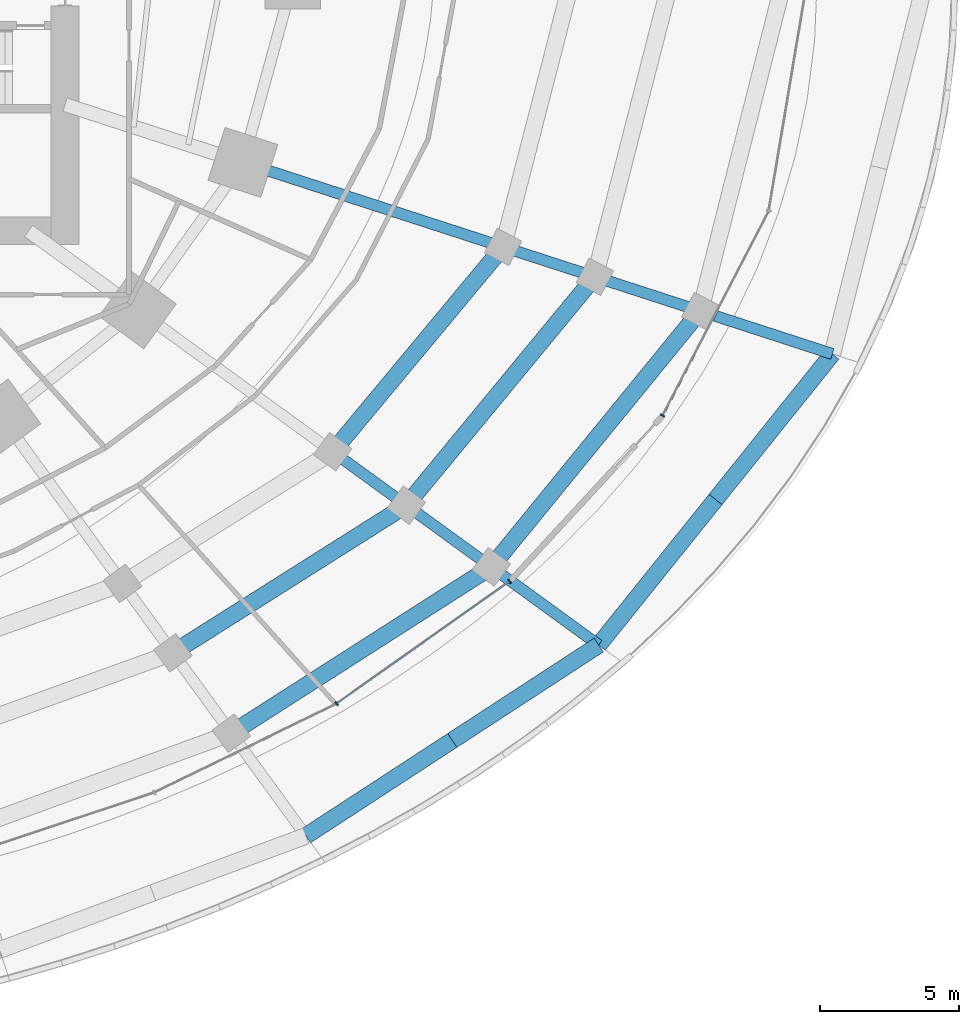
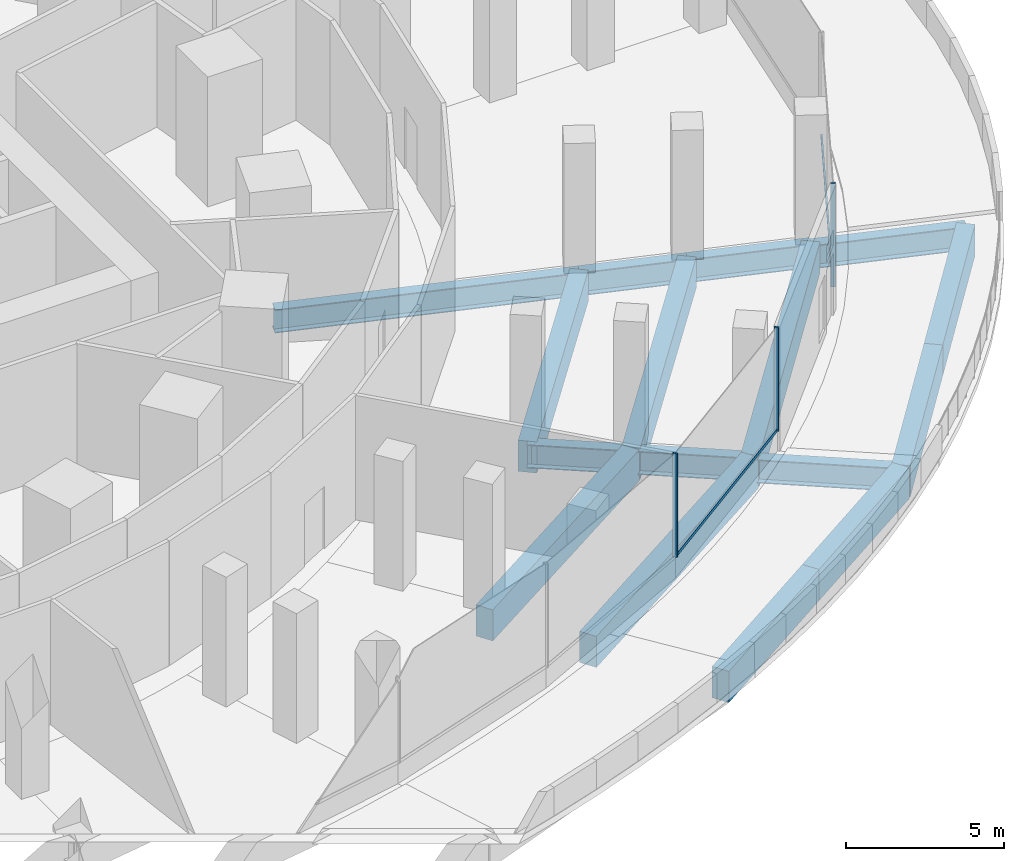
# One storey, part 12 of 31: 16 beams, 5 members, 2 elements without a shape of their own.
"""IFC4 building model written with IfcOpenShell, lengths in metres."""

from ifc_helpers import new_model, si_unit, direction, frame, origin, origin_2d, place, context, subcontext, project, spatial, rectangle, i_section, extrude, material, material_profile, profile_set, type_object, element, aggregate, save


model = new_model("IFC4")

# Units and contexts
model_context = context("Model", 3, precision=1e-05, world=origin(), true_north=direction((0.0, 1.0)))
body_context = subcontext(model_context, "Body", "Model", "MODEL_VIEW")
ifc_project = project(units=[si_unit("LENGTHUNIT", "METRE"), si_unit("AREAUNIT", "SQUARE_METRE"), si_unit("VOLUMEUNIT", "CUBIC_METRE"), si_unit("PLANEANGLEUNIT", "RADIAN"), si_unit("MASSUNIT", "GRAM", prefix="KILO")], contexts=[model_context])

# Site, building, storey
site_placement = place(None, origin())
site = spatial("IfcSite", under=ifc_project, at=site_placement, CompositionType="ELEMENT")
building_placement = place(site_placement, origin())
building = spatial("IfcBuilding", under=site, at=building_placement, Name="Marramba Exchange Tower", CompositionType="ELEMENT")
storey_placement = place(building_placement, frame((0.0, 0.0, 5.60009765625)))
storey = spatial("IfcBuildingStorey", under=building, at=storey_placement, Name="L01", CompositionType="ELEMENT", Elevation=5.60009765625)

# Beams
ifc_material_1 = material(Name="Concrete N50", Category="concrete")
ifc_material_profile_1 = material_profile(ifc_material_1, rectangle(XDim=0.60009765625, YDim=1.199951171875, at=origin_2d()), Name="RC 600x1200")
ifc_profile_set_1 = profile_set([ifc_material_profile_1], Name="Concrete N50")
beam_type_1 = type_object("IfcBeamType", Name="Edge beam RC 600x1200 N50", PredefinedType="SPANDREL", material=ifc_profile_set_1)
beam_1_placement = place(storey_placement, frame((22.379638671875, -30.802978515625, -0.85009765625), z_axis=(0.8377200998, 0.546099839216, 0.0), x_axis=(-0.546099839216, 0.8377200998, 0.0)))
element("IfcBeam", 1, at=beam_1_placement, inside=storey, type_object=beam_type_1, Name="Edge beam L01 P0C18 half 1", PredefinedType="SPANDREL", context=body_context, shape_type="SweptSolid", body=[
    extrude(rectangle(XDim=0.60009765625, YDim=1.199951171875, at=origin_2d()), origin(), (0.0, 0.0, 1.0), 6.29736328125),
])
beam_2_placement = place(storey_placement, frame((27.655029296875, -27.364013671875, -0.85009765625), z_axis=(0.837726274184, 0.54609036756, 0.0), x_axis=(-0.54609036756, 0.837726274184, 0.0)))
element("IfcBeam", 2, at=beam_2_placement, inside=storey, type_object=beam_type_1, Name="Edge beam L01 P0C18 half 2", PredefinedType="SPANDREL", context=body_context, shape_type="SweptSolid", body=[
    extrude(rectangle(XDim=0.60009765625, YDim=1.199951171875, at=origin_2d()), origin(), (0.0, 0.0, 1.0), 6.296875),
])
beam_3_placement = place(storey_placement, frame((32.93017578125, -23.92529296875, -0.85009765625), z_axis=(0.626013316532, 0.779812366871, 0.0), x_axis=(-0.779812366871, 0.626013316532, 0.0)))
element("IfcBeam", 3, at=beam_3_placement, inside=storey, type_object=beam_type_1, Name="Edge beam L01 P0C19 half 1", PredefinedType="SPANDREL", context=body_context, shape_type="SweptSolid", body=[
    extrude(rectangle(XDim=0.60009765625, YDim=1.199951171875, at=origin_2d()), origin(), (0.0, 0.0, 1.0), 6.725830078125),
])
beam_4_placement = place(storey_placement, frame((37.140625, -18.680419921875, -0.85009765625), z_axis=(0.626008962796, 0.779815861918, 0.0), x_axis=(-0.779815861918, 0.626008962796, 0.0)))
element("IfcBeam", 4, at=beam_4_placement, inside=storey, type_object=beam_type_1, Name="Edge beam L01 P0C19 half 2", PredefinedType="SPANDREL", context=body_context, shape_type="SweptSolid", body=[
    extrude(rectangle(XDim=0.60009765625, YDim=1.199951171875, at=origin_2d()), origin(), (0.0, 0.0, 1.0), 6.7255859375),
])
beam_5_placement = place(storey_placement, frame((19.691650390625, -27.103271484375, -0.800048828125), z_axis=(0.84235792629, 0.538918476225, 0.0), x_axis=(-0.538918476225, 0.84235792629, 0.0)))
element("IfcBeam", 5, at=beam_5_placement, inside=storey, type_object=beam_type_1, Name="Edge beam L01 P1C18", PredefinedType="SPANDREL", context=body_context, shape_type="SweptSolid", body=[
    extrude(rectangle(XDim=0.60009765625, YDim=1.199951171875, at=origin_2d()), origin(), (0.0, 0.0, 1.0), 11.118408203125),
])
beam_6_placement = place(storey_placement, frame((29.057373046875, -21.111328125, -0.800048828125), z_axis=(0.632507305582, 0.774554393432, 0.0), x_axis=(-0.774554393432, 0.632507305582, 0.0)))
element("IfcBeam", 6, at=beam_6_placement, inside=storey, type_object=beam_type_1, Name="Edge beam L01 P1C19", PredefinedType="SPANDREL", context=body_context, shape_type="SweptSolid", body=[
    extrude(rectangle(XDim=0.60009765625, YDim=1.199951171875, at=origin_2d()), origin(), (0.0, 0.0, 1.0), 11.907470703125),
])
beam_7_placement = place(storey_placement, frame((17.585205078125, -24.203857421875, -0.800048828125), z_axis=(0.845320367889, 0.534259745473, 0.0), x_axis=(-0.534259745473, 0.845320367889, 0.0)))
element("IfcBeam", 7, at=beam_7_placement, inside=storey, type_object=beam_type_1, Name="Edge beam L01 P2C18", PredefinedType="SPANDREL", context=body_context, shape_type="SweptSolid", body=[
    extrude(rectangle(XDim=0.60009765625, YDim=1.199951171875, at=origin_2d()), origin(), (0.0, 0.0, 1.0), 9.950439453125),
])
beam_8_placement = place(storey_placement, frame((25.99658203125, -18.8876953125, -0.800048828125), z_axis=(0.636682264125, 0.77112625072, 0.0), x_axis=(-0.77112625072, 0.636682264125, 0.0)))
element("IfcBeam", 8, at=beam_8_placement, inside=storey, type_object=beam_type_1, Name="Edge beam L01 P2C19", PredefinedType="SPANDREL", context=body_context, shape_type="SweptSolid", body=[
    extrude(rectangle(XDim=0.60009765625, YDim=1.199951171875, at=origin_2d()), origin(), (0.0, 0.0, 1.0), 10.67578125),
])
beam_9_placement = place(storey_placement, frame((23.34228515625, -16.959228515625, -0.800048828125), z_axis=(0.639553814052, 0.768746329377, 0.0), x_axis=(-0.768746329377, 0.639553814052, 0.0)))
element("IfcBeam", 9, at=beam_9_placement, inside=storey, type_object=beam_type_1, Name="Edge beam L01 P3C19", PredefinedType="SPANDREL", context=body_context, shape_type="SweptSolid", body=[
    extrude(rectangle(XDim=0.60009765625, YDim=1.199951171875, at=origin_2d()), origin(), (0.0, 0.0, 1.0), 9.599853515625),
])

# Curtain wall, members
ifc_material_2 = material(Name="Aluminium framing, bronze anodised", Category="aluminium")
curtain_wall_type = type_object("IfcCurtainWallType", Name="Podium ribbon curtain wall", PredefinedType="USERDEFINED", material=ifc_material_2)
curtain_wall_1_placement = place(storey_placement, origin())
curtain_wall_1 = element("IfcCurtainWall", 10, at=curtain_wall_1_placement, inside=storey, type_object=curtain_wall_type, Name="Curtain wall CW2 L01 F26-F27", ObjectType="RIBBON CURTAIN WALL", PredefinedType="USERDEFINED")
ifc_material_3 = material(Name="Aluminium mullion, bronze anodised", Category="aluminium")
ifc_material_profile_2 = material_profile(ifc_material_3, rectangle(XDim=0.159912109375, YDim=0.06005859375, at=origin_2d()), Name="CW2 mullion 60x160")
ifc_profile_set_2 = profile_set([ifc_material_profile_2], Name="Aluminium mullion, bronze anodised")
member_type_1 = type_object("IfcMemberType", Name="Podium ribbon curtain wall mullion", PredefinedType="MULLION", material=ifc_profile_set_2)
member_1_placement = place(storey_placement, frame((23.484130859375, -26.037109375, 0.7998046875), z_axis=(0.0, 0.0, 1.0), x_axis=(-0.577270845362, 0.816552736261, 0.0)))
member_1 = element("IfcMember", 11, at=member_1_placement, type_object=member_type_1, Name="CW2 mullion 1", PredefinedType="MULLION", context=body_context, shape_type="SweptSolid", body=[
    extrude(rectangle(XDim=0.159912109375, YDim=0.06005859375, at=origin_2d()), origin(), (0.0, 0.0, 1.0), 4.0),
])
member_2_placement = place(storey_placement, frame((29.720458984375, -21.62841796875, 0.7998046875), z_axis=(0.0, 0.0, 1.0), x_axis=(-0.577270845362, 0.816552736261, 0.0)))
member_2 = element("IfcMember", 12, at=member_2_placement, type_object=member_type_1, Name="CW2 mullion 2", PredefinedType="MULLION", context=body_context, shape_type="SweptSolid", body=[
    extrude(rectangle(XDim=0.159912109375, YDim=0.06005859375, at=origin_2d()), origin(), (0.0, 0.0, 1.0), 4.0),
])

# Curtain wall, member
curtain_wall_2_placement = place(storey_placement, origin())
curtain_wall_2 = element("IfcCurtainWall", 13, at=curtain_wall_2_placement, inside=storey, type_object=curtain_wall_type, Name="Curtain wall CW2 L01 F29-F30", ObjectType="RIBBON CURTAIN WALL", PredefinedType="USERDEFINED")
member_3_placement = place(storey_placement, frame((35.231689453125, -15.6533203125, 0.7998046875), z_axis=(0.0, 0.0, 1.0), x_axis=(-0.887158690523, 0.46146447082, 0.0)))
member_3 = element("IfcMember", 14, at=member_3_placement, type_object=member_type_1, Name="CW2 mullion 1", PredefinedType="MULLION", context=body_context, shape_type="SweptSolid", body=[
    extrude(rectangle(XDim=0.159912109375, YDim=0.06005859375, at=origin_2d()), origin(), (0.0, 0.0, 1.0), 4.0),
])

# Member
ifc_material_4 = material(Name="Aluminium transom, bronze anodised", Category="aluminium")
ifc_material_profile_3 = material_profile(ifc_material_4, rectangle(XDim=0.06005859375, YDim=0.1201171875, at=origin_2d()), Name="CW2 transom 60x120")
ifc_profile_set_3 = profile_set([ifc_material_profile_3], Name="Aluminium transom, bronze anodised")
member_type_2 = type_object("IfcMemberType", Name="Podium ribbon curtain wall transom", PredefinedType="USERDEFINED", material=ifc_profile_set_3)
member_4_placement = place(storey_placement, frame((23.508544921875, -26.02001953125, 0.829833984375), z_axis=(0.816556026962, 0.57726619062, 0.0), x_axis=(-0.57726619062, 0.816556026962, 0.0)))
member_4 = element("IfcMember", 15, at=member_4_placement, type_object=member_type_2, Name="CW2 sill transom", ObjectType="TRANSOM", PredefinedType="USERDEFINED", context=body_context, shape_type="SweptSolid", body=[
    extrude(rectangle(XDim=0.06005859375, YDim=0.1201171875, at=origin_2d()), origin(), (0.0, 0.0, 1.0), 7.57763671875),
])

aggregate(curtain_wall_1, [member_1, member_2, member_4])

member_5_placement = place(storey_placement, frame((35.24560546875, -15.626708984375, 0.829833984375), z_axis=(0.461443971614, 0.887169353089, 0.0), x_axis=(-0.887169353089, 0.461443971614, 0.0)))
member_5 = element("IfcMember", 16, at=member_5_placement, type_object=member_type_2, Name="CW2 sill transom", ObjectType="TRANSOM", PredefinedType="USERDEFINED", context=body_context, shape_type="SweptSolid", body=[
    extrude(rectangle(XDim=0.06005859375, YDim=0.1201171875, at=origin_2d()), origin(), (0.0, 0.0, 1.0), 8.2568359375),
])

aggregate(curtain_wall_2, [member_3, member_5])

# Beams
ifc_material_5 = material(Name="Steel AS/NZS 3679.2 grade 300", Category="steel")
ifc_material_profile_4 = material_profile(ifc_material_5, i_section(OverallWidth=0.39990234375, OverallDepth=0.89990234375, WebThickness=0.01611328125, FlangeThickness=0.031982421875, at=origin_2d()), Name="900WB282")
ifc_profile_set_4 = profile_set([ifc_material_profile_4], Name="Steel AS/NZS 3679.2 grade 300")
beam_type_2 = type_object("IfcBeamType", Name="Radial girder 900WB282", PredefinedType="BEAM", material=ifc_profile_set_4)
beam_10_placement = place(storey_placement, frame((32.93017578125, -23.92529296875, -0.7001953125), z_axis=(-0.808996237592, 0.587813820493, 0.0), x_axis=(-0.587813820493, -0.808996237592, 0.0)))
element("IfcBeam", 17, at=beam_10_placement, inside=storey, type_object=beam_type_2, Name="Radial girder L01 P0C19", PredefinedType="BEAM", context=body_context, shape_type="SweptSolid", body=[
    extrude(i_section(OverallWidth=0.39990234375, OverallDepth=0.89990234375, WebThickness=0.01611328125, FlangeThickness=0.031982421875, at=origin_2d()), origin(), (0.0, 0.0, 1.0), 4.787109375),
])
beam_11_placement = place(storey_placement, frame((41.350830078125, -13.435791015625, -0.7001953125), z_axis=(-0.951050191909, 0.309036458155, 0.0), x_axis=(-0.309036458155, -0.951050191909, 0.0)))
element("IfcBeam", 18, at=beam_11_placement, inside=storey, type_object=beam_type_2, Name="Radial girder L01 P0C20", PredefinedType="BEAM", context=body_context, shape_type="SweptSolid", body=[
    extrude(i_section(OverallWidth=0.39990234375, OverallDepth=0.89990234375, WebThickness=0.01611328125, FlangeThickness=0.031982421875, at=origin_2d()), origin(), (0.0, 0.0, 1.0), 5.007080078125),
])
beam_12_placement = place(storey_placement, frame((29.057373046875, -21.111328125, -0.650146484375), z_axis=(-0.809037359893, 0.58775722054, 0.0), x_axis=(-0.58775722054, -0.809037359893, 0.0)))
element("IfcBeam", 19, at=beam_12_placement, inside=storey, type_object=beam_type_2, Name="Radial girder L01 P1C19", PredefinedType="BEAM", context=body_context, shape_type="SweptSolid", body=[
    extrude(i_section(OverallWidth=0.39990234375, OverallDepth=0.89990234375, WebThickness=0.01611328125, FlangeThickness=0.031982421875, at=origin_2d()), origin(), (0.0, 0.0, 1.0), 3.783203125),
])
beam_13_placement = place(storey_placement, frame((36.5888671875, -11.888427734375, -0.650146484375), z_axis=(-0.951054298871, 0.309023818822, 0.0), x_axis=(-0.309023818822, -0.951054298871, 0.0)))
element("IfcBeam", 20, at=beam_13_placement, inside=storey, type_object=beam_type_2, Name="Radial girder L01 P1C20", PredefinedType="BEAM", context=body_context, shape_type="SweptSolid", body=[
    extrude(i_section(OverallWidth=0.39990234375, OverallDepth=0.89990234375, WebThickness=0.01611328125, FlangeThickness=0.031982421875, at=origin_2d()), origin(), (0.0, 0.0, 1.0), 3.990478515625),
])
beam_14_placement = place(storey_placement, frame((25.99658203125, -18.8876953125, -0.650146484375), z_axis=(-0.809015945709, 0.587786695655, 0.0), x_axis=(-0.587786695655, -0.809015945709, 0.0)))
element("IfcBeam", 21, at=beam_14_placement, inside=storey, type_object=beam_type_2, Name="Radial girder L01 P2C19", PredefinedType="BEAM", context=body_context, shape_type="SweptSolid", body=[
    extrude(i_section(OverallWidth=0.39990234375, OverallDepth=0.89990234375, WebThickness=0.01611328125, FlangeThickness=0.031982421875, at=origin_2d()), origin(), (0.0, 0.0, 1.0), 3.281005859375),
])
beam_15_placement = place(storey_placement, frame((32.793701171875, -10.6552734375, -0.650146484375), z_axis=(-0.951067553557, 0.308983023113, 0.0), x_axis=(-0.308983023113, -0.951067553557, 0.0)))
element("IfcBeam", 22, at=beam_15_placement, inside=storey, type_object=beam_type_2, Name="Radial girder L01 P2C20", PredefinedType="BEAM", context=body_context, shape_type="SweptSolid", body=[
    extrude(i_section(OverallWidth=0.39990234375, OverallDepth=0.89990234375, WebThickness=0.01611328125, FlangeThickness=0.031982421875, at=origin_2d()), origin(), (0.0, 0.0, 1.0), 3.482177734375),
])
beam_16_placement = place(storey_placement, frame((29.48193359375, -9.579345703125, -0.650146484375), z_axis=(-0.951054092785, 0.309024453071, 0.0), x_axis=(-0.309024453071, -0.951054092785, 0.0)))
element("IfcBeam", 23, at=beam_16_placement, inside=storey, type_object=beam_type_2, Name="Radial girder L01 P3C20", PredefinedType="BEAM", context=body_context, shape_type="SweptSolid", body=[
    extrude(i_section(OverallWidth=0.39990234375, OverallDepth=0.89990234375, WebThickness=0.01611328125, FlangeThickness=0.031982421875, at=origin_2d()), origin(), (0.0, 0.0, 1.0), 9.85498046875),
])

save(model, "model.ifc")
